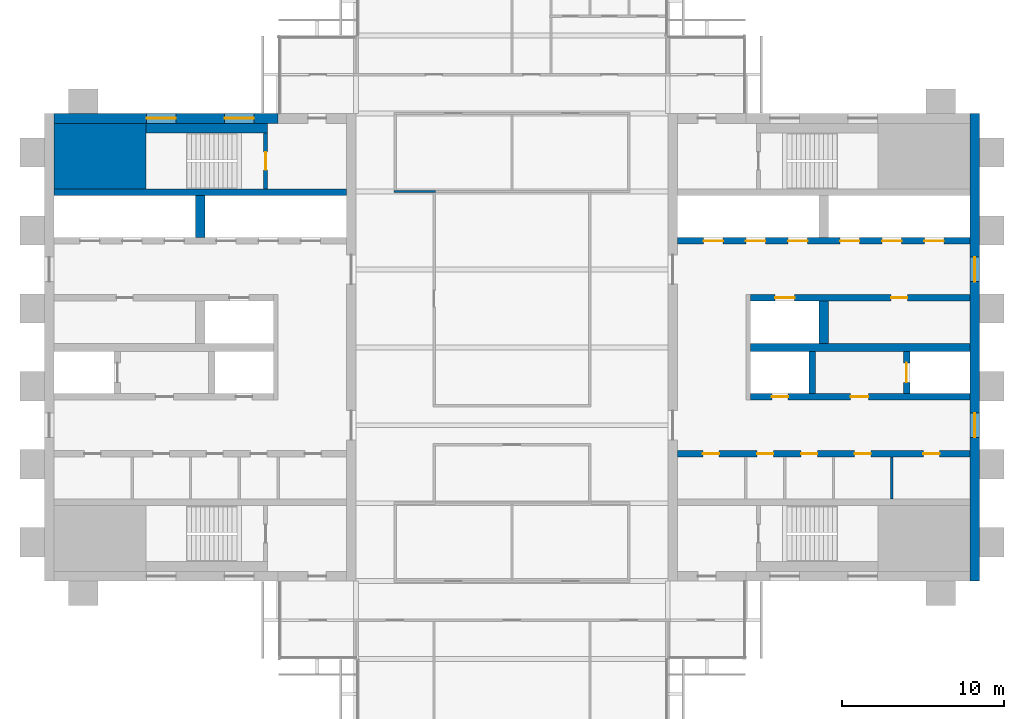
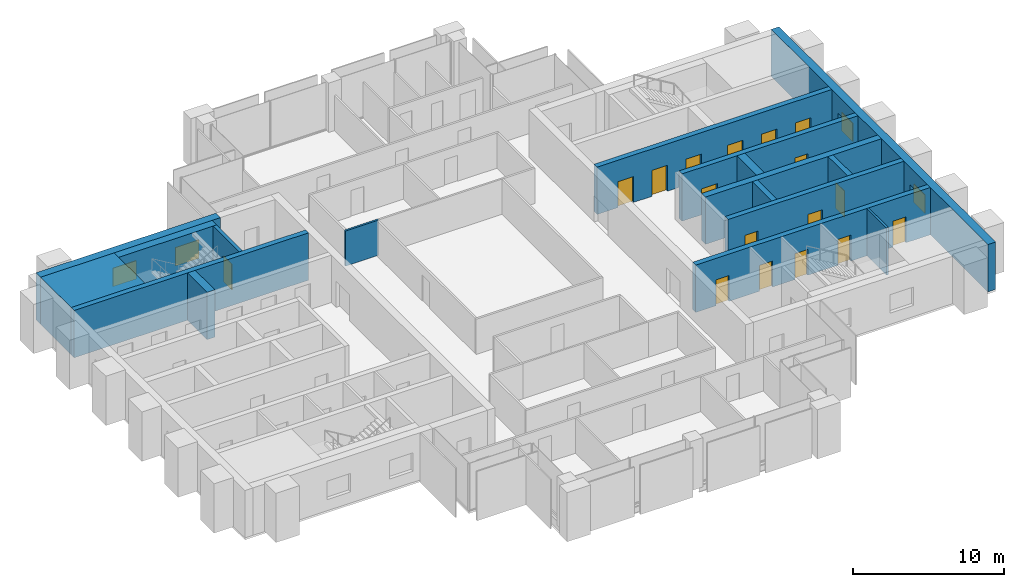
# One storey, part 10 of 13: 17 doors, 17 walls, 4 windows, 21 openings.
"""IFC4 building model written with IfcOpenShell, lengths in metres."""

from ifc_helpers import new_model, si_unit, direction, frame, frame_2d, origin, place, context, subcontext, project, spatial, rectangle, extrude, material, layer, layer_set, type_object, element, fill, save


model = new_model("IFC4")

# Units and contexts
model_context = context("Model", 3, precision=1e-05, world=origin(), true_north=direction((0.0, 1.0)))
body_context = subcontext(model_context, "Body", "Model", "MODEL_VIEW")
ifc_project = project(units=[si_unit("LENGTHUNIT", "METRE"), si_unit("AREAUNIT", "SQUARE_METRE"), si_unit("VOLUMEUNIT", "CUBIC_METRE"), si_unit("PLANEANGLEUNIT", "RADIAN"), si_unit("MASSUNIT", "GRAM", prefix="KILO")], contexts=[model_context])

# Site, building, storey
site_placement = place(None, origin())
site = spatial("IfcSite", under=ifc_project, at=site_placement, CompositionType="ELEMENT")
building_placement = place(site_placement, origin())
building = spatial("IfcBuilding", under=site, at=building_placement, Name="Baori Bourse Tower", CompositionType="ELEMENT")
storey_placement = place(building_placement, frame((0.0, 0.0, 334.300048828125)))
storey = spatial("IfcBuildingStorey", under=building, at=storey_placement, Name="L74", CompositionType="ELEMENT", Elevation=334.300048828125)

# Walls
ifc_material_1 = material(Name="Concrete f'c 40 MPa", Category="concrete")
wall_type_1 = type_object("IfcWallType", Name="Core corner block f'c 40", PredefinedType="SHEAR", material=ifc_material_1)
wall_1_placement = place(storey_placement, frame((0.60009765625, 35.77490234375, 0.0), z_axis=(0.0, 0.0, 1.0), x_axis=(1.0, 0.0, 0.0)))
element("IfcWall", 1, at=wall_1_placement, inside=storey, type_object=wall_type_1, Name="Core wall W24", PredefinedType="SHEAR", context=body_context, shape_type="SweptSolid", body=[
    extrude(rectangle(XDim=5.64990234375, YDim=4.050048828125, at=frame_2d((2.824951171875, 0.0))), origin(), (0.0, 0.0, 1.0), 3.83984375),
])
ifc_material_2 = material(Name="Blockwork partition", Category="masonry")
ifc_layer_1 = layer(ifc_material_2, 0.14990234375)
ifc_layer_set_1 = layer_set([ifc_layer_1], Name="Core partition 150")
wall_type_2 = type_object("IfcWallType", Name="Core partition 150", PredefinedType="PARTITIONING", material=ifc_layer_set_1)
wall_2_placement = place(storey_placement, frame((52.199951171875, 14.64990234375, 0.0), z_axis=(0.0, 0.0, 1.0), x_axis=(0.0, 1.0, 0.0)))
element("IfcWall", 2, at=wall_2_placement, inside=storey, type_object=wall_type_2, Name="Partition wall E09", PredefinedType="PARTITIONING", context=body_context, shape_type="SweptSolid", body=[
    extrude(rectangle(XDim=2.60009765625, YDim=0.14990234375, at=frame_2d((1.300048828125, 0.0))), origin(), (0.0, 0.0, 1.0), 3.83984375),
])

# Wall, openings, windows
ifc_material_3 = material(Name="Concrete f'c 40 MPa", Category="concrete")
ifc_layer_2 = layer(ifc_material_3, 0.60009765625)
ifc_layer_set_2 = layer_set([ifc_layer_2], Name="Core wall 600 f'c 40")
wall_type_3 = type_object("IfcWallType", Name="Core wall 600 f'c 40", PredefinedType="SHEAR", material=ifc_layer_set_2)
wall_3_placement = place(storey_placement, frame((0.60009765625, 38.10009765625, 0.0), z_axis=(0.0, 0.0, 1.0), x_axis=(1.0, 0.0, 0.0)))
wall_3 = element("IfcWall", 3, at=wall_3_placement, inside=storey, type_object=wall_type_3, Name="Core wall W27", PredefinedType="SHEAR", context=body_context, shape_type="SweptSolid", body=[
    extrude(rectangle(XDim=13.7998046875, YDim=0.60009765625, at=frame_2d((6.89990234375, 0.0))), origin(), (0.0, 0.0, 1.0), 3.83984375),
])
opening_1_placement = place(wall_3_placement, frame((5.699951171875, 0.0, 0.89990234375)))
opening_1 = element("IfcOpeningElement", 4, at=opening_1_placement, cuts=wall_3, Name="Opening L74-KW105", PredefinedType="OPENING", context=body_context, shape_type="SweptSolid", body=[
    extrude(rectangle(XDim=1.800048828125, YDim=1.5, at=frame_2d((0.89990234375, 0.75))), frame((0.0, 0.31005859375, 0.0), z_axis=(0.0, -1.0, 0.0), x_axis=(1.0, 0.0, 0.0)), (0.0, 0.0, 1.0), 0.6201171875),
])
opening_2_placement = place(wall_3_placement, frame((10.5, 0.0, 0.89990234375)))
opening_2 = element("IfcOpeningElement", 5, at=opening_2_placement, cuts=wall_3, Name="Opening L74-KW106", PredefinedType="OPENING", context=body_context, shape_type="SweptSolid", body=[
    extrude(rectangle(XDim=1.800048828125, YDim=1.5, at=frame_2d((0.89990234375, 0.75))), frame((0.0, 0.31005859375, 0.0), z_axis=(0.0, -1.0, 0.0), x_axis=(1.0, 0.0, 0.0)), (0.0, 0.0, 1.0), 0.6201171875),
])
ifc_material_4 = material(Name="Pale anodised aluminium", Category="aluminium")
window_type_1 = type_object("IfcWindowType", Name="Stair window 1800 x 1500", PartitioningType="SINGLE_PANEL", PredefinedType="WINDOW", material=ifc_material_4)
window_1_placement = place(opening_1_placement, origin())
window_1 = element("IfcWindow", 6, at=window_1_placement, inside=storey, type_object=window_type_1, Name="Stair window W L74 5", OverallHeight=1.5, OverallWidth=1.800048828125, PartitioningType="SINGLE_PANEL", PredefinedType="WINDOW", context=body_context, shape_type="SweptSolid", body=[
    extrude(rectangle(XDim=1.800048828125, YDim=1.5, at=frame_2d((0.89990234375, 0.75))), frame((0.0, 0.030029296875, 0.0), z_axis=(0.0, -1.0, 0.0), x_axis=(1.0, 0.0, 0.0)), (0.0, 0.0, 1.0), 0.06005859375),
])
fill(opening_1, window_1)
window_2_placement = place(opening_2_placement, origin())
window_2 = element("IfcWindow", 7, at=window_2_placement, inside=storey, type_object=window_type_1, Name="Stair window W L74 6", OverallHeight=1.5, OverallWidth=1.800048828125, PartitioningType="SINGLE_PANEL", PredefinedType="WINDOW", context=body_context, shape_type="SweptSolid", body=[
    extrude(rectangle(XDim=1.800048828125, YDim=1.5, at=frame_2d((0.89990234375, 0.75))), frame((0.0, 0.030029296875, 0.0), z_axis=(0.0, -1.0, 0.0), x_axis=(1.0, 0.0, 0.0)), (0.0, 0.0, 1.0), 0.06005859375),
])
fill(opening_2, window_2)

wall_4_placement = place(storey_placement, frame((57.300048828125, 38.39990234375, 0.0), z_axis=(0.0, 0.0, 1.0), x_axis=(0.0, -1.0, 0.0)))
wall_4 = element("IfcWall", 8, at=wall_4_placement, inside=storey, type_object=wall_type_3, Name="Core wall E01", PredefinedType="SHEAR", context=body_context, shape_type="SweptSolid", body=[
    extrude(rectangle(XDim=28.7998046875, YDim=0.60009765625, at=frame_2d((14.39990234375, 0.0))), origin(), (0.0, 0.0, 1.0), 3.83984375),
])
opening_3_placement = place(wall_4_placement, frame((18.449951171875, 0.0, 0.89990234375)))
opening_3 = element("IfcOpeningElement", 9, at=opening_3_placement, cuts=wall_4, Name="Opening L74-KW201", PredefinedType="OPENING", context=body_context, shape_type="SweptSolid", body=[
    extrude(rectangle(XDim=1.5, YDim=1.5, at=frame_2d((0.75, 0.75))), frame((0.0, 0.31005859375, 0.0), z_axis=(0.0, -1.0, 0.0), x_axis=(1.0, 0.0, 0.0)), (0.0, 0.0, 1.0), 0.6201171875),
])
opening_4_placement = place(wall_4_placement, frame((8.85009765625, 0.0, 0.89990234375)))
opening_4 = element("IfcOpeningElement", 10, at=opening_4_placement, cuts=wall_4, Name="Opening L74-KW202", PredefinedType="OPENING", context=body_context, shape_type="SweptSolid", body=[
    extrude(rectangle(XDim=1.5, YDim=1.5, at=frame_2d((0.75, 0.75))), frame((0.0, 0.31005859375, 0.0), z_axis=(0.0, -1.0, 0.0), x_axis=(1.0, 0.0, 0.0)), (0.0, 0.0, 1.0), 0.6201171875),
])
ifc_material_5 = material(Name="Pale anodised aluminium", Category="aluminium")
window_type_2 = type_object("IfcWindowType", Name="Lobby window 1500 x 1500", PartitioningType="SINGLE_PANEL", PredefinedType="WINDOW", material=ifc_material_5)
window_3_placement = place(opening_3_placement, origin())
window_3 = element("IfcWindow", 11, at=window_3_placement, inside=storey, type_object=window_type_2, Name="Outer wall window E L74 1", OverallHeight=1.5, OverallWidth=1.5, PartitioningType="SINGLE_PANEL", PredefinedType="WINDOW", context=body_context, shape_type="SweptSolid", body=[
    extrude(rectangle(XDim=1.5, YDim=1.5, at=frame_2d((0.75, 0.75))), frame((0.0, 0.030029296875, 0.0), z_axis=(0.0, -1.0, 0.0), x_axis=(1.0, 0.0, 0.0)), (0.0, 0.0, 1.0), 0.06005859375),
])
fill(opening_3, window_3)
window_4_placement = place(opening_4_placement, origin())
window_4 = element("IfcWindow", 12, at=window_4_placement, inside=storey, type_object=window_type_2, Name="Outer wall window E L74 2", OverallHeight=1.5, OverallWidth=1.5, PartitioningType="SINGLE_PANEL", PredefinedType="WINDOW", context=body_context, shape_type="SweptSolid", body=[
    extrude(rectangle(XDim=1.5, YDim=1.5, at=frame_2d((0.75, 0.75))), frame((0.0, 0.030029296875, 0.0), z_axis=(0.0, -1.0, 0.0), x_axis=(1.0, 0.0, 0.0)), (0.0, 0.0, 1.0), 0.06005859375),
])
fill(opening_4, window_4)

# Wall
ifc_material_6 = material(Name="Gypsum board partition")
ifc_layer_3 = layer(ifc_material_6, 0.14990234375)
ifc_layer_set_3 = layer_set([ifc_layer_3], Name="Corridor partition 150")
wall_type_4 = type_object("IfcWallType", Name="Corridor partition 150", PredefinedType="PARTITIONING", material=ifc_layer_set_3)
wall_5_placement = place(storey_placement, frame((21.52490234375, 33.60009765625, 0.0), z_axis=(0.0, 0.0, 1.0), x_axis=(1.0, 0.0, 0.0)))
element("IfcWall", 13, at=wall_5_placement, inside=storey, type_object=wall_type_4, Name="Partition", PredefinedType="PARTITIONING", context=body_context, shape_type="SweptSolid", body=[
    extrude(rectangle(XDim=2.550048828125, YDim=0.14990234375, at=frame_2d((1.27490234375, 0.0))), origin(), (0.0, 0.0, 1.0), 2.849365234375),
])

# Wall, opening, door
ifc_material_7 = material(Name="Concrete f'c 40 MPa", Category="concrete")
ifc_layer_4 = layer(ifc_material_7, 0.25)
ifc_layer_set_4 = layer_set([ifc_layer_4], Name="Shaft wall 250 f'c 40")
wall_type_5 = type_object("IfcWallType", Name="Shaft wall 250 f'c 40", PredefinedType="SHEAR", material=ifc_layer_set_4)
wall_6_placement = place(storey_placement, frame((13.625, 33.75, 0.0), z_axis=(0.0, 0.0, 1.0), x_axis=(0.0, 1.0, 0.0)))
wall_6 = element("IfcWall", 14, at=wall_6_placement, inside=storey, type_object=wall_type_5, Name="Core wall W25", PredefinedType="SHEAR", context=body_context, shape_type="SweptSolid", body=[
    extrude(rectangle(XDim=3.449951171875, YDim=0.25, at=frame_2d((1.72509765625, 0.0))), origin(), (0.0, 0.0, 1.0), 3.83984375),
])
opening_5_placement = place(wall_6_placement, frame((1.175048828125, 0.0, 0.0)))
opening_5 = element("IfcOpeningElement", 15, at=opening_5_placement, cuts=wall_6, Name="Opening L74-D103", PredefinedType="OPENING", context=body_context, shape_type="SweptSolid", body=[
    extrude(rectangle(XDim=1.10009765625, YDim=2.10009765625, at=frame_2d((0.550048828125, 1.050048828125))), frame((0.0, 0.135009765625, 0.0), z_axis=(0.0, -1.0, 0.0), x_axis=(1.0, 0.0, 0.0)), (0.0, 0.0, 1.0), 0.27001953125),
])
ifc_material_8 = material(Name="Painted steel door", Category="steel")
door_type_1 = type_object("IfcDoorType", Name="Stair door 1100", OperationType="SINGLE_SWING_LEFT", PredefinedType="DOOR", material=ifc_material_8)
door_1_placement = place(opening_5_placement, origin())
door_1 = element("IfcDoor", 16, at=door_1_placement, inside=storey, type_object=door_type_1, Name="Stair door B W L74", OperationType="SINGLE_SWING_LEFT", OverallHeight=2.10009765625, OverallWidth=1.10009765625, PredefinedType="DOOR", context=body_context, shape_type="SweptSolid", body=[
    extrude(rectangle(XDim=1.10009765625, YDim=2.10009765625, at=frame_2d((0.550048828125, 1.050048828125))), frame((0.0, 0.02490234375, 0.0), z_axis=(0.0, -1.0, 0.0), x_axis=(1.0, 0.0, 0.0)), (0.0, 0.0, 1.0), 0.050048828125),
])
fill(opening_5, door_1)

# Wall
ifc_material_9 = material(Name="Concrete f'c 40 MPa", Category="concrete")
ifc_layer_5 = layer(ifc_material_9, 0.39990234375)
ifc_layer_set_5 = layer_set([ifc_layer_5], Name="Shaft wall 400 f'c 40")
wall_type_6 = type_object("IfcWallType", Name="Shaft wall 400 f'c 40", PredefinedType="SHEAR", material=ifc_layer_set_5)
wall_7_placement = place(storey_placement, frame((0.60009765625, 33.550048828125, 0.0), z_axis=(0.0, 0.0, 1.0), x_axis=(1.0, 0.0, 0.0)))
element("IfcWall", 17, at=wall_7_placement, inside=storey, type_object=wall_type_6, Name="Core wall W23", PredefinedType="SHEAR", context=body_context, shape_type="SweptSolid", body=[
    extrude(rectangle(XDim=18.0, YDim=0.39990234375, at=frame_2d((9.0, 0.0))), origin(), (0.0, 0.0, 1.0), 3.83984375),
])

# Wall, openings, doors
wall_8_placement = place(storey_placement, frame((39.0, 17.449951171875, 0.0), z_axis=(0.0, 0.0, 1.0), x_axis=(1.0, 0.0, 0.0)))
wall_8 = element("IfcWall", 18, at=wall_8_placement, inside=storey, type_object=wall_type_6, Name="Core wall E13", PredefinedType="SHEAR", context=body_context, shape_type="SweptSolid", body=[
    extrude(rectangle(XDim=18.0, YDim=0.39990234375, at=frame_2d((9.0, 0.0))), origin(), (0.0, 0.0, 1.0), 3.83984375),
])
opening_6_placement = place(wall_8_placement, frame((15.137451171875, 0.0, 0.0)))
opening_6 = element("IfcOpeningElement", 19, at=opening_6_placement, cuts=wall_8, Name="Opening L74-D209", PredefinedType="OPENING", context=body_context, shape_type="SweptSolid", body=[
    extrude(rectangle(XDim=1.0, YDim=2.10009765625, at=frame_2d((0.5, 1.050048828125))), frame((0.0, 0.2099609375, 0.0), z_axis=(0.0, -1.0, 0.0), x_axis=(1.0, 0.0, 0.0)), (0.0, 0.0, 1.0), 0.419921875),
])
opening_7_placement = place(wall_8_placement, frame((10.89990234375, 0.0, 0.0)))
opening_7 = element("IfcOpeningElement", 20, at=opening_7_placement, cuts=wall_8, Name="Opening L74-D210", PredefinedType="OPENING", context=body_context, shape_type="SweptSolid", body=[
    extrude(rectangle(XDim=1.0, YDim=2.10009765625, at=frame_2d((0.5, 1.050048828125))), frame((0.0, 0.2099609375, 0.0), z_axis=(0.0, -1.0, 0.0), x_axis=(1.0, 0.0, 0.0)), (0.0, 0.0, 1.0), 0.419921875),
])
opening_8_placement = place(wall_8_placement, frame((7.60009765625, 0.0, 0.0)))
opening_8 = element("IfcOpeningElement", 21, at=opening_8_placement, cuts=wall_8, Name="Opening L74-D211", PredefinedType="OPENING", context=body_context, shape_type="SweptSolid", body=[
    extrude(rectangle(XDim=1.0, YDim=2.10009765625, at=frame_2d((0.5, 1.050048828125))), frame((0.0, 0.2099609375, 0.0), z_axis=(0.0, -1.0, 0.0), x_axis=(1.0, 0.0, 0.0)), (0.0, 0.0, 1.0), 0.419921875),
])
opening_9_placement = place(wall_8_placement, frame((4.89990234375, 0.0, 0.0)))
opening_9 = element("IfcOpeningElement", 22, at=opening_9_placement, cuts=wall_8, Name="Opening L74-D212", PredefinedType="OPENING", context=body_context, shape_type="SweptSolid", body=[
    extrude(rectangle(XDim=1.0, YDim=2.10009765625, at=frame_2d((0.5, 1.050048828125))), frame((0.0, 0.2099609375, 0.0), z_axis=(0.0, -1.0, 0.0), x_axis=(1.0, 0.0, 0.0)), (0.0, 0.0, 1.0), 0.419921875),
])
opening_10_placement = place(wall_8_placement, frame((1.5625, 0.0, 0.0)))
opening_10 = element("IfcOpeningElement", 23, at=opening_10_placement, cuts=wall_8, Name="Opening L74-D213", PredefinedType="OPENING", context=body_context, shape_type="SweptSolid", body=[
    extrude(rectangle(XDim=1.0, YDim=2.10009765625, at=frame_2d((0.5, 1.050048828125))), frame((0.0, 0.2099609375, 0.0), z_axis=(0.0, -1.0, 0.0), x_axis=(1.0, 0.0, 0.0)), (0.0, 0.0, 1.0), 0.419921875),
])
ifc_material_10 = material(Name="Painted steel door", Category="steel")
door_type_2 = type_object("IfcDoorType", Name="Core door 1000", OperationType="SINGLE_SWING_LEFT", PredefinedType="DOOR", material=ifc_material_10)
door_2_placement = place(opening_6_placement, origin())
door_2 = element("IfcDoor", 24, at=door_2_placement, inside=storey, type_object=door_type_2, Name="Men'S Wc door E L74", OperationType="SINGLE_SWING_LEFT", OverallHeight=2.10009765625, OverallWidth=1.0, PredefinedType="DOOR", context=body_context, shape_type="SweptSolid", body=[
    extrude(rectangle(XDim=1.0, YDim=2.10009765625, at=frame_2d((0.5, 1.050048828125))), frame((0.0, 0.02490234375, 0.0), z_axis=(0.0, -1.0, 0.0), x_axis=(1.0, 0.0, 0.0)), (0.0, 0.0, 1.0), 0.050048828125),
])
fill(opening_6, door_2)
door_3_placement = place(opening_7_placement, origin())
door_3 = element("IfcDoor", 25, at=door_3_placement, inside=storey, type_object=door_type_2, Name="Women'S Wc door E L74", OperationType="SINGLE_SWING_LEFT", OverallHeight=2.10009765625, OverallWidth=1.0, PredefinedType="DOOR", context=body_context, shape_type="SweptSolid", body=[
    extrude(rectangle(XDim=1.0, YDim=2.10009765625, at=frame_2d((0.5, 1.050048828125))), frame((0.0, 0.02490234375, 0.0), z_axis=(0.0, -1.0, 0.0), x_axis=(1.0, 0.0, 0.0)), (0.0, 0.0, 1.0), 0.050048828125),
])
fill(opening_7, door_3)
door_4_placement = place(opening_9_placement, origin())
door_4 = element("IfcDoor", 26, at=door_4_placement, inside=storey, type_object=door_type_2, Name="Pantry door E L74", OperationType="SINGLE_SWING_LEFT", OverallHeight=2.10009765625, OverallWidth=1.0, PredefinedType="DOOR", context=body_context, shape_type="SweptSolid", body=[
    extrude(rectangle(XDim=1.0, YDim=2.10009765625, at=frame_2d((0.5, 1.050048828125))), frame((0.0, 0.02490234375, 0.0), z_axis=(0.0, -1.0, 0.0), x_axis=(1.0, 0.0, 0.0)), (0.0, 0.0, 1.0), 0.050048828125),
])
fill(opening_9, door_4)
door_5_placement = place(opening_10_placement, origin())
door_5 = element("IfcDoor", 27, at=door_5_placement, inside=storey, type_object=door_type_2, Name="Accessible Wc door E L74", OperationType="SINGLE_SWING_LEFT", OverallHeight=2.10009765625, OverallWidth=1.0, PredefinedType="DOOR", context=body_context, shape_type="SweptSolid", body=[
    extrude(rectangle(XDim=1.0, YDim=2.10009765625, at=frame_2d((0.5, 1.050048828125))), frame((0.0, 0.02490234375, 0.0), z_axis=(0.0, -1.0, 0.0), x_axis=(1.0, 0.0, 0.0)), (0.0, 0.0, 1.0), 0.050048828125),
])
fill(opening_10, door_5)
ifc_material_11 = material(Name="Painted steel door", Category="steel")
door_type_3 = type_object("IfcDoorType", Name="Plant room door 1000", OperationType="SINGLE_SWING_LEFT", PredefinedType="DOOR", material=ifc_material_11)
door_6_placement = place(opening_8_placement, origin())
door_6 = element("IfcDoor", 28, at=door_6_placement, inside=storey, type_object=door_type_3, Name="Electrical Room door E L74", OperationType="SINGLE_SWING_LEFT", OverallHeight=2.10009765625, OverallWidth=1.0, PredefinedType="DOOR", context=body_context, shape_type="SweptSolid", body=[
    extrude(rectangle(XDim=1.0, YDim=2.10009765625, at=frame_2d((0.5, 1.050048828125))), frame((0.0, 0.02490234375, 0.0), z_axis=(0.0, -1.0, 0.0), x_axis=(1.0, 0.0, 0.0)), (0.0, 0.0, 1.0), 0.050048828125),
])
fill(opening_8, door_6)

wall_9_placement = place(storey_placement, frame((43.5, 20.949951171875, 0.0), z_axis=(0.0, 0.0, 1.0), x_axis=(1.0, 0.0, 0.0)))
wall_9 = element("IfcWall", 29, at=wall_9_placement, inside=storey, type_object=wall_type_6, Name="Core wall E14", PredefinedType="SHEAR", context=body_context, shape_type="SweptSolid", body=[
    extrude(rectangle(XDim=13.5, YDim=0.39990234375, at=frame_2d((6.75, 0.0))), origin(), (0.0, 0.0, 1.0), 3.83984375),
])
opening_11_placement = place(wall_9_placement, frame((6.14990234375, 0.0, 0.0)))
opening_11 = element("IfcOpeningElement", 30, at=opening_11_placement, cuts=wall_9, Name="Opening L74-D205", PredefinedType="OPENING", context=body_context, shape_type="SweptSolid", body=[
    extrude(rectangle(XDim=1.10009765625, YDim=2.10009765625, at=frame_2d((0.550048828125, 1.050048828125))), frame((0.0, 0.2099609375, 0.0), z_axis=(0.0, -1.0, 0.0), x_axis=(1.0, 0.0, 0.0)), (0.0, 0.0, 1.0), 0.419921875),
])
opening_12_placement = place(wall_9_placement, frame((1.300048828125, 0.0, 0.0)))
opening_12 = element("IfcOpeningElement", 31, at=opening_12_placement, cuts=wall_9, Name="Opening L74-D206", PredefinedType="OPENING", context=body_context, shape_type="SweptSolid", body=[
    extrude(rectangle(XDim=1.0, YDim=2.10009765625, at=frame_2d((0.5, 1.050048828125))), frame((0.0, 0.2099609375, 0.0), z_axis=(0.0, -1.0, 0.0), x_axis=(1.0, 0.0, 0.0)), (0.0, 0.0, 1.0), 0.419921875),
])
ifc_material_12 = material(Name="Painted steel door", Category="steel")
door_type_4 = type_object("IfcDoorType", Name="Lobby door 1100", OperationType="SINGLE_SWING_LEFT", PredefinedType="DOOR", material=ifc_material_12)
door_7_placement = place(opening_11_placement, origin())
door_7 = element("IfcDoor", 32, at=door_7_placement, inside=storey, type_object=door_type_4, Name="Firefighting lobby door E L74", OperationType="SINGLE_SWING_LEFT", OverallHeight=2.10009765625, OverallWidth=1.10009765625, PredefinedType="DOOR", context=body_context, shape_type="SweptSolid", body=[
    extrude(rectangle(XDim=1.10009765625, YDim=2.10009765625, at=frame_2d((0.550048828125, 1.050048828125))), frame((0.0, 0.02490234375, 0.0), z_axis=(0.0, -1.0, 0.0), x_axis=(1.0, 0.0, 0.0)), (0.0, 0.0, 1.0), 0.050048828125),
])
fill(opening_11, door_7)
ifc_material_13 = material(Name="Painted steel door", Category="steel")
door_type_5 = type_object("IfcDoorType", Name="Shaft door 1000", OperationType="SINGLE_SWING_LEFT", PredefinedType="DOOR", material=ifc_material_13)
door_8_placement = place(opening_12_placement, origin())
door_8 = element("IfcDoor", 33, at=door_8_placement, inside=storey, type_object=door_type_5, Name="Riser room door E L74", OperationType="SINGLE_SWING_LEFT", OverallHeight=2.10009765625, OverallWidth=1.0, PredefinedType="DOOR", context=body_context, shape_type="SweptSolid", body=[
    extrude(rectangle(XDim=1.0, YDim=2.10009765625, at=frame_2d((0.5, 1.050048828125))), frame((0.0, 0.02490234375, 0.0), z_axis=(0.0, -1.0, 0.0), x_axis=(1.0, 0.0, 0.0)), (0.0, 0.0, 1.0), 0.050048828125),
])
fill(opening_12, door_8)

# Wall, opening, door
wall_10_placement = place(storey_placement, frame((53.10009765625, 21.14990234375, 0.0), z_axis=(0.0, 0.0, 1.0), x_axis=(0.0, 1.0, 0.0)))
wall_10 = element("IfcWall", 34, at=wall_10_placement, inside=storey, type_object=wall_type_6, Name="Core wall E16", PredefinedType="SHEAR", context=body_context, shape_type="SweptSolid", body=[
    extrude(rectangle(XDim=2.60009765625, YDim=0.39990234375, at=frame_2d((1.300048828125, 0.0))), origin(), (0.0, 0.0, 1.0), 3.83984375),
])
opening_13_placement = place(wall_10_placement, frame((0.699951171875, 0.0, 0.0)))
opening_13 = element("IfcOpeningElement", 35, at=opening_13_placement, cuts=wall_10, Name="Opening L74-D222", PredefinedType="OPENING", context=body_context, shape_type="SweptSolid", body=[
    extrude(rectangle(XDim=1.199951171875, YDim=2.10009765625, at=frame_2d((0.60009765625, 1.050048828125))), frame((0.0, 0.2099609375, 0.0), z_axis=(0.0, -1.0, 0.0), x_axis=(1.0, 0.0, 0.0)), (0.0, 0.0, 1.0), 0.419921875),
])
ifc_material_14 = material(Name="Stainless steel door", Category="steel")
door_type_6 = type_object("IfcDoorType", Name="Lift landing door", OperationType="DOUBLE_DOOR_SLIDING", PredefinedType="DOOR", material=ifc_material_14)
door_9_placement = place(opening_13_placement, origin())
door_9 = element("IfcDoor", 36, at=door_9_placement, inside=storey, type_object=door_type_6, Name="Lift landing door FF2 E L74", OperationType="DOUBLE_DOOR_SLIDING", OverallHeight=2.10009765625, OverallWidth=1.199951171875, PredefinedType="DOOR", context=body_context, shape_type="SweptSolid", body=[
    extrude(rectangle(XDim=1.199951171875, YDim=2.10009765625, at=frame_2d((0.60009765625, 1.050048828125))), frame((0.0, 0.02490234375, 0.0), z_axis=(0.0, -1.0, 0.0), x_axis=(1.0, 0.0, 0.0)), (0.0, 0.0, 1.0), 0.050048828125),
])
fill(opening_13, door_9)

# Wall
wall_11_placement = place(storey_placement, frame((47.300048828125, 21.14990234375, 0.0), z_axis=(0.0, 0.0, 1.0), x_axis=(0.0, 1.0, 0.0)))
element("IfcWall", 37, at=wall_11_placement, inside=storey, type_object=wall_type_6, Name="Core wall E17", PredefinedType="SHEAR", context=body_context, shape_type="SweptSolid", body=[
    extrude(rectangle(XDim=2.60009765625, YDim=0.39990234375, at=frame_2d((1.300048828125, 0.0))), origin(), (0.0, 0.0, 1.0), 3.83984375),
])

# Wall, openings, doors
wall_12_placement = place(storey_placement, frame((43.5, 27.050048828125, 0.0), z_axis=(0.0, 0.0, 1.0), x_axis=(1.0, 0.0, 0.0)))
wall_12 = element("IfcWall", 38, at=wall_12_placement, inside=storey, type_object=wall_type_6, Name="Core wall E20", PredefinedType="SHEAR", context=body_context, shape_type="SweptSolid", body=[
    extrude(rectangle(XDim=13.5, YDim=0.39990234375, at=frame_2d((6.75, 0.0))), origin(), (0.0, 0.0, 1.0), 3.83984375),
])
opening_14_placement = place(wall_12_placement, frame((8.64990234375, 0.0, 0.0)))
opening_14 = element("IfcOpeningElement", 39, at=opening_14_placement, cuts=wall_12, Name="Opening L74-D214", PredefinedType="OPENING", context=body_context, shape_type="SweptSolid", body=[
    extrude(rectangle(XDim=1.0, YDim=2.10009765625, at=frame_2d((0.5, 1.050048828125))), frame((0.0, 0.2099609375, 0.0), z_axis=(0.0, -1.0, 0.0), x_axis=(1.0, 0.0, 0.0)), (0.0, 0.0, 1.0), 0.419921875),
])
opening_15_placement = place(wall_12_placement, frame((1.5, 0.0, 0.0)))
opening_15 = element("IfcOpeningElement", 40, at=opening_15_placement, cuts=wall_12, Name="Opening L74-D221", PredefinedType="OPENING", context=body_context, shape_type="SweptSolid", body=[
    extrude(rectangle(XDim=1.199951171875, YDim=2.10009765625, at=frame_2d((0.60009765625, 1.050048828125))), frame((0.0, 0.2099609375, 0.0), z_axis=(0.0, -1.0, 0.0), x_axis=(1.0, 0.0, 0.0)), (0.0, 0.0, 1.0), 0.419921875),
])
door_10_placement = place(opening_14_placement, origin())
door_10 = element("IfcDoor", 41, at=door_10_placement, inside=storey, type_object=door_type_2, Name="Recycling Room door E L74", OperationType="SINGLE_SWING_LEFT", OverallHeight=2.10009765625, OverallWidth=1.0, PredefinedType="DOOR", context=body_context, shape_type="SweptSolid", body=[
    extrude(rectangle(XDim=1.0, YDim=2.10009765625, at=frame_2d((0.5, 1.050048828125))), frame((0.0, 0.02490234375, 0.0), z_axis=(0.0, -1.0, 0.0), x_axis=(1.0, 0.0, 0.0)), (0.0, 0.0, 1.0), 0.050048828125),
])
fill(opening_14, door_10)
door_11_placement = place(opening_15_placement, origin())
door_11 = element("IfcDoor", 42, at=door_11_placement, inside=storey, type_object=door_type_6, Name="Lift landing door SV1 E L74", OperationType="DOUBLE_DOOR_SLIDING", OverallHeight=2.10009765625, OverallWidth=1.199951171875, PredefinedType="DOOR", context=body_context, shape_type="SweptSolid", body=[
    extrude(rectangle(XDim=1.199951171875, YDim=2.10009765625, at=frame_2d((0.60009765625, 1.050048828125))), frame((0.0, 0.02490234375, 0.0), z_axis=(0.0, -1.0, 0.0), x_axis=(1.0, 0.0, 0.0)), (0.0, 0.0, 1.0), 0.050048828125),
])
fill(opening_15, door_11)

wall_13_placement = place(storey_placement, frame((39.0, 30.550048828125, 0.0), z_axis=(0.0, 0.0, 1.0), x_axis=(1.0, 0.0, 0.0)))
wall_13 = element("IfcWall", 43, at=wall_13_placement, inside=storey, type_object=wall_type_6, Name="Core wall E21", PredefinedType="SHEAR", context=body_context, shape_type="SweptSolid", body=[
    extrude(rectangle(XDim=18.0, YDim=0.39990234375, at=frame_2d((9.0, 0.0))), origin(), (0.0, 0.0, 1.0), 3.83984375),
])
opening_16_placement = place(wall_13_placement, frame((15.199951171875, 0.0, 0.0)))
opening_16 = element("IfcOpeningElement", 44, at=opening_16_placement, cuts=wall_13, Name="Opening L74-D215", PredefinedType="OPENING", context=body_context, shape_type="SweptSolid", body=[
    extrude(rectangle(XDim=1.199951171875, YDim=2.10009765625, at=frame_2d((0.60009765625, 1.050048828125))), frame((0.0, 0.2099609375, 0.0), z_axis=(0.0, -1.0, 0.0), x_axis=(1.0, 0.0, 0.0)), (0.0, 0.0, 1.0), 0.419921875),
])
opening_17_placement = place(wall_13_placement, frame((12.60009765625, 0.0, 0.0)))
opening_17 = element("IfcOpeningElement", 45, at=opening_17_placement, cuts=wall_13, Name="Opening L74-D216", PredefinedType="OPENING", context=body_context, shape_type="SweptSolid", body=[
    extrude(rectangle(XDim=1.199951171875, YDim=2.10009765625, at=frame_2d((0.60009765625, 1.050048828125))), frame((0.0, 0.2099609375, 0.0), z_axis=(0.0, -1.0, 0.0), x_axis=(1.0, 0.0, 0.0)), (0.0, 0.0, 1.0), 0.419921875),
])
opening_18_placement = place(wall_13_placement, frame((10.0, 0.0, 0.0)))
opening_18 = element("IfcOpeningElement", 46, at=opening_18_placement, cuts=wall_13, Name="Opening L74-D217", PredefinedType="OPENING", context=body_context, shape_type="SweptSolid", body=[
    extrude(rectangle(XDim=1.199951171875, YDim=2.10009765625, at=frame_2d((0.60009765625, 1.050048828125))), frame((0.0, 0.2099609375, 0.0), z_axis=(0.0, -1.0, 0.0), x_axis=(1.0, 0.0, 0.0)), (0.0, 0.0, 1.0), 0.419921875),
])
opening_19_placement = place(wall_13_placement, frame((6.800048828125, 0.0, 0.0)))
opening_19 = element("IfcOpeningElement", 47, at=opening_19_placement, cuts=wall_13, Name="Opening L74-D218", PredefinedType="OPENING", context=body_context, shape_type="SweptSolid", body=[
    extrude(rectangle(XDim=1.199951171875, YDim=2.10009765625, at=frame_2d((0.60009765625, 1.050048828125))), frame((0.0, 0.2099609375, 0.0), z_axis=(0.0, -1.0, 0.0), x_axis=(1.0, 0.0, 0.0)), (0.0, 0.0, 1.0), 0.419921875),
])
opening_20_placement = place(wall_13_placement, frame((4.199951171875, 0.0, 0.0)))
opening_20 = element("IfcOpeningElement", 48, at=opening_20_placement, cuts=wall_13, Name="Opening L74-D219", PredefinedType="OPENING", context=body_context, shape_type="SweptSolid", body=[
    extrude(rectangle(XDim=1.199951171875, YDim=2.10009765625, at=frame_2d((0.60009765625, 1.050048828125))), frame((0.0, 0.2099609375, 0.0), z_axis=(0.0, -1.0, 0.0), x_axis=(1.0, 0.0, 0.0)), (0.0, 0.0, 1.0), 0.419921875),
])
opening_21_placement = place(wall_13_placement, frame((1.60009765625, 0.0, 0.0)))
opening_21 = element("IfcOpeningElement", 49, at=opening_21_placement, cuts=wall_13, Name="Opening L74-D220", PredefinedType="OPENING", context=body_context, shape_type="SweptSolid", body=[
    extrude(rectangle(XDim=1.199951171875, YDim=2.10009765625, at=frame_2d((0.60009765625, 1.050048828125))), frame((0.0, 0.2099609375, 0.0), z_axis=(0.0, -1.0, 0.0), x_axis=(1.0, 0.0, 0.0)), (0.0, 0.0, 1.0), 0.419921875),
])
door_12_placement = place(opening_16_placement, origin())
door_12 = element("IfcDoor", 50, at=door_12_placement, inside=storey, type_object=door_type_6, Name="Lift landing door HR1 E L74", OperationType="DOUBLE_DOOR_SLIDING", OverallHeight=2.10009765625, OverallWidth=1.199951171875, PredefinedType="DOOR", context=body_context, shape_type="SweptSolid", body=[
    extrude(rectangle(XDim=1.199951171875, YDim=2.10009765625, at=frame_2d((0.60009765625, 1.050048828125))), frame((0.0, 0.02490234375, 0.0), z_axis=(0.0, -1.0, 0.0), x_axis=(1.0, 0.0, 0.0)), (0.0, 0.0, 1.0), 0.050048828125),
])
fill(opening_16, door_12)
door_13_placement = place(opening_17_placement, origin())
door_13 = element("IfcDoor", 51, at=door_13_placement, inside=storey, type_object=door_type_6, Name="Lift landing door HR2 E L74", OperationType="DOUBLE_DOOR_SLIDING", OverallHeight=2.10009765625, OverallWidth=1.199951171875, PredefinedType="DOOR", context=body_context, shape_type="SweptSolid", body=[
    extrude(rectangle(XDim=1.199951171875, YDim=2.10009765625, at=frame_2d((0.60009765625, 1.050048828125))), frame((0.0, 0.02490234375, 0.0), z_axis=(0.0, -1.0, 0.0), x_axis=(1.0, 0.0, 0.0)), (0.0, 0.0, 1.0), 0.050048828125),
])
fill(opening_17, door_13)
door_14_placement = place(opening_18_placement, origin())
door_14 = element("IfcDoor", 52, at=door_14_placement, inside=storey, type_object=door_type_6, Name="Lift landing door HR3 E L74", OperationType="DOUBLE_DOOR_SLIDING", OverallHeight=2.10009765625, OverallWidth=1.199951171875, PredefinedType="DOOR", context=body_context, shape_type="SweptSolid", body=[
    extrude(rectangle(XDim=1.199951171875, YDim=2.10009765625, at=frame_2d((0.60009765625, 1.050048828125))), frame((0.0, 0.02490234375, 0.0), z_axis=(0.0, -1.0, 0.0), x_axis=(1.0, 0.0, 0.0)), (0.0, 0.0, 1.0), 0.050048828125),
])
fill(opening_18, door_14)
door_15_placement = place(opening_19_placement, origin())
door_15 = element("IfcDoor", 53, at=door_15_placement, inside=storey, type_object=door_type_6, Name="Lift landing door HR4 E L74", OperationType="DOUBLE_DOOR_SLIDING", OverallHeight=2.10009765625, OverallWidth=1.199951171875, PredefinedType="DOOR", context=body_context, shape_type="SweptSolid", body=[
    extrude(rectangle(XDim=1.199951171875, YDim=2.10009765625, at=frame_2d((0.60009765625, 1.050048828125))), frame((0.0, 0.02490234375, 0.0), z_axis=(0.0, -1.0, 0.0), x_axis=(1.0, 0.0, 0.0)), (0.0, 0.0, 1.0), 0.050048828125),
])
fill(opening_19, door_15)
door_16_placement = place(opening_20_placement, origin())
door_16 = element("IfcDoor", 54, at=door_16_placement, inside=storey, type_object=door_type_6, Name="Lift landing door HR5 E L74", OperationType="DOUBLE_DOOR_SLIDING", OverallHeight=2.10009765625, OverallWidth=1.199951171875, PredefinedType="DOOR", context=body_context, shape_type="SweptSolid", body=[
    extrude(rectangle(XDim=1.199951171875, YDim=2.10009765625, at=frame_2d((0.60009765625, 1.050048828125))), frame((0.0, 0.02490234375, 0.0), z_axis=(0.0, -1.0, 0.0), x_axis=(1.0, 0.0, 0.0)), (0.0, 0.0, 1.0), 0.050048828125),
])
fill(opening_20, door_16)
door_17_placement = place(opening_21_placement, origin())
door_17 = element("IfcDoor", 55, at=door_17_placement, inside=storey, type_object=door_type_6, Name="Lift landing door HR6 E L74", OperationType="DOUBLE_DOOR_SLIDING", OverallHeight=2.10009765625, OverallWidth=1.199951171875, PredefinedType="DOOR", context=body_context, shape_type="SweptSolid", body=[
    extrude(rectangle(XDim=1.199951171875, YDim=2.10009765625, at=frame_2d((0.60009765625, 1.050048828125))), frame((0.0, 0.02490234375, 0.0), z_axis=(0.0, -1.0, 0.0), x_axis=(1.0, 0.0, 0.0)), (0.0, 0.0, 1.0), 0.050048828125),
])
fill(opening_21, door_17)

# Walls
ifc_material_15 = material(Name="Concrete f'c 40 MPa", Category="concrete")
ifc_layer_6 = layer(ifc_material_15, 0.5)
ifc_layer_set_6 = layer_set([ifc_layer_6], Name="Shaft wall 500 f'c 40")
wall_type_7 = type_object("IfcWallType", Name="Shaft wall 500 f'c 40", PredefinedType="SHEAR", material=ifc_layer_set_6)
wall_14_placement = place(storey_placement, frame((43.5, 24.0, 0.0), z_axis=(0.0, 0.0, 1.0), x_axis=(1.0, 0.0, 0.0)))
element("IfcWall", 56, at=wall_14_placement, inside=storey, type_object=wall_type_7, Name="Core wall E18", PredefinedType="SHEAR", context=body_context, shape_type="SweptSolid", body=[
    extrude(rectangle(XDim=13.5, YDim=0.5, at=frame_2d((6.75, 0.0))), origin(), (0.0, 0.0, 1.0), 3.83984375),
])
ifc_material_16 = material(Name="Concrete f'c 40 MPa", Category="concrete")
ifc_layer_7 = layer(ifc_material_16, 0.60009765625)
ifc_layer_set_7 = layer_set([ifc_layer_7], Name="Shaft wall 600 f'c 40")
wall_type_8 = type_object("IfcWallType", Name="Shaft wall 600 f'c 40", PredefinedType="SHEAR", material=ifc_layer_set_7)
wall_15_placement = place(storey_placement, frame((9.60009765625, 30.75, 0.0), z_axis=(0.0, 0.0, 1.0), x_axis=(0.0, 1.0, 0.0)))
element("IfcWall", 57, at=wall_15_placement, inside=storey, type_object=wall_type_8, Name="Core wall W22", PredefinedType="SHEAR", context=body_context, shape_type="SweptSolid", body=[
    extrude(rectangle(XDim=2.60009765625, YDim=0.60009765625, at=frame_2d((1.300048828125, 0.0))), origin(), (0.0, 0.0, 1.0), 3.83984375),
])
wall_16_placement = place(storey_placement, frame((6.25, 37.5, 0.0), z_axis=(0.0, 0.0, 1.0), x_axis=(1.0, 0.0, 0.0)))
element("IfcWall", 58, at=wall_16_placement, inside=storey, type_object=wall_type_8, Name="Core wall W26", PredefinedType="SHEAR", context=body_context, shape_type="SweptSolid", body=[
    extrude(rectangle(XDim=7.5, YDim=0.60009765625, at=frame_2d((3.75, 0.0))), origin(), (0.0, 0.0, 1.0), 3.83984375),
])
wall_17_placement = place(storey_placement, frame((48.0, 24.25, 0.0), z_axis=(0.0, 0.0, 1.0), x_axis=(0.0, 1.0, 0.0)))
element("IfcWall", 59, at=wall_17_placement, inside=storey, type_object=wall_type_8, Name="Core wall E19", PredefinedType="SHEAR", context=body_context, shape_type="SweptSolid", body=[
    extrude(rectangle(XDim=2.60009765625, YDim=0.60009765625, at=frame_2d((1.300048828125, 0.0))), origin(), (0.0, 0.0, 1.0), 3.83984375),
])

save(model, "model.ifc")
